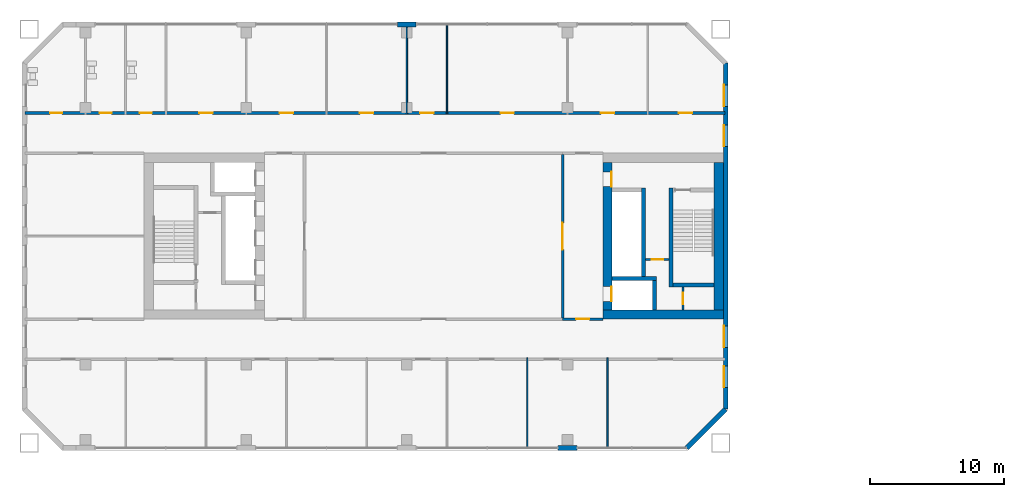
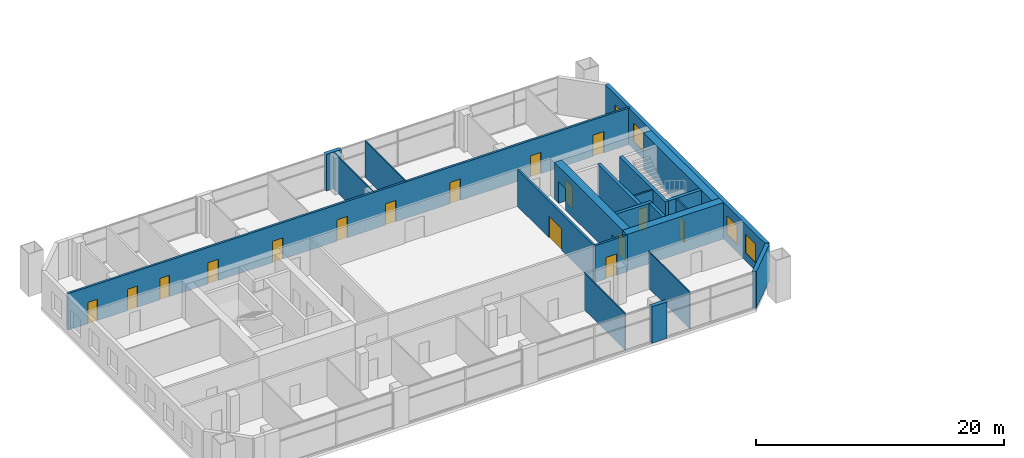
# One storey, part 12 of 19: 21 walls, 16 doors, 4 windows, 20 openings.
"""IFC4 building model written with IfcOpenShell, lengths in metres."""

from ifc_helpers import new_model, si_unit, direction, frame, frame_2d, origin, place, context, subcontext, project, spatial, rectangle, extrude, material, layer, layer_set, type_object, element, fill, save


model = new_model("IFC4")

# Units and contexts
model_context = context("Model", 3, precision=1e-05, world=origin(), true_north=direction((0.0, 1.0)))
body_context = subcontext(model_context, "Body", "Model", "MODEL_VIEW")
ifc_project = project(units=[si_unit("LENGTHUNIT", "METRE"), si_unit("AREAUNIT", "SQUARE_METRE"), si_unit("VOLUMEUNIT", "CUBIC_METRE"), si_unit("PLANEANGLEUNIT", "RADIAN"), si_unit("MASSUNIT", "GRAM", prefix="KILO")], contexts=[model_context])

# Site, building, storey
site_placement = place(None, origin())
site = spatial("IfcSite", under=ifc_project, at=site_placement, CompositionType="ELEMENT")
building_placement = place(site_placement, origin())
building = spatial("IfcBuilding", under=site, at=building_placement, Name="Tuart Gate Housing", CompositionType="ELEMENT")
storey_placement = place(building_placement, frame((0.0, 0.0, 67.39990234375)))
storey = spatial("IfcBuildingStorey", under=building, at=storey_placement, Name="L18", CompositionType="ELEMENT", Elevation=67.39990234375)

# Walls
ifc_material_1 = material(Name="Brick", Category="masonry")
ifc_layer_1 = layer(ifc_material_1, 0.360107421875)
ifc_layer_set_1 = layer_set([ifc_layer_1], Name="Brick pier and spandrel wall 360")
wall_type_1 = type_object("IfcWallType", Name="Brick pier and spandrel wall 360", PredefinedType="STANDARD", material=ifc_layer_set_1)
wall_1_placement = place(storey_placement, frame((63.300048828125, 54.179931640625, 0.0), z_axis=(0.0, 0.0, 1.0), x_axis=(1.0, 0.0, 0.0)))
element("IfcWall", 1, at=wall_1_placement, inside=storey, type_object=wall_type_1, Name="External wall A-S L18", PredefinedType="STANDARD", context=body_context, shape_type="SweptSolid", body=[
    extrude(rectangle(XDim=1.39990234375, YDim=0.360107421875, at=frame_2d((0.699951171875, 0.0))), origin(), (0.0, 0.0, 1.0), 3.60009765625),
])
wall_2_placement = place(storey_placement, frame((72.92529296875, 54.179931640625, 0.0), z_axis=(0.0, 0.0, 1.0), x_axis=(0.707106781187, 0.707106781187, 0.0)))
element("IfcWall", 2, at=wall_2_placement, inside=storey, type_object=wall_type_1, Name="External wall A-SE L18", PredefinedType="STANDARD", context=body_context, shape_type="SweptSolid", body=[
    extrude(rectangle(XDim=4.09375, YDim=0.360107421875, at=frame_2d((2.046875, 0.0))), origin(), (0.0, 0.0, 1.0), 3.60009765625),
])

# Wall, openings, windows
wall_3_placement = place(storey_placement, frame((75.820068359375, 57.07470703125, 0.0), z_axis=(0.0, 0.0, 1.0), x_axis=(0.0, 1.0, 0.0)))
wall_3 = element("IfcWall", 3, at=wall_3_placement, inside=storey, type_object=wall_type_1, Name="External wall A-E L18", PredefinedType="STANDARD", context=body_context, shape_type="SweptSolid", body=[
    extrude(rectangle(XDim=25.850830078125, YDim=0.360107421875, at=frame_2d((12.92529296875, 0.0))), origin(), (0.0, 0.0, 1.0), 3.60009765625),
])
opening_1_placement = place(wall_3_placement, frame((1.62548828125, 0.0, 0.800048828125)))
opening_1 = element("IfcOpeningElement", 4, at=opening_1_placement, cuts=wall_3, Name="Opening W1", PredefinedType="OPENING", context=body_context, shape_type="SweptSolid", body=[
    extrude(rectangle(XDim=1.60009765625, YDim=1.800048828125, at=frame_2d((0.800048828125, 0.89990234375))), frame((0.0, 0.18994140625, 0.0), z_axis=(0.0, -1.0, 0.0), x_axis=(1.0, 0.0, 0.0)), (0.0, 0.0, 1.0), 0.380126953125),
])
opening_2_placement = place(wall_3_placement, frame((4.62548828125, 0.0, 0.800048828125)))
opening_2 = element("IfcOpeningElement", 5, at=opening_2_placement, cuts=wall_3, Name="Opening W1", PredefinedType="OPENING", context=body_context, shape_type="SweptSolid", body=[
    extrude(rectangle(XDim=1.60009765625, YDim=1.800048828125, at=frame_2d((0.800048828125, 0.89990234375))), frame((0.0, 0.18994140625, 0.0), z_axis=(0.0, -1.0, 0.0), x_axis=(1.0, 0.0, 0.0)), (0.0, 0.0, 1.0), 0.380126953125),
])
opening_3_placement = place(wall_3_placement, frame((19.62548828125, 0.0, 0.800048828125)))
opening_3 = element("IfcOpeningElement", 6, at=opening_3_placement, cuts=wall_3, Name="Opening W1", PredefinedType="OPENING", context=body_context, shape_type="SweptSolid", body=[
    extrude(rectangle(XDim=1.60009765625, YDim=1.800048828125, at=frame_2d((0.800048828125, 0.89990234375))), frame((0.0, 0.18994140625, 0.0), z_axis=(0.0, -1.0, 0.0), x_axis=(1.0, 0.0, 0.0)), (0.0, 0.0, 1.0), 0.380126953125),
])
opening_4_placement = place(wall_3_placement, frame((22.62548828125, 0.0, 0.800048828125)))
opening_4 = element("IfcOpeningElement", 7, at=opening_4_placement, cuts=wall_3, Name="Opening W1", PredefinedType="OPENING", context=body_context, shape_type="SweptSolid", body=[
    extrude(rectangle(XDim=1.60009765625, YDim=1.800048828125, at=frame_2d((0.800048828125, 0.89990234375))), frame((0.0, 0.18994140625, 0.0), z_axis=(0.0, -1.0, 0.0), x_axis=(1.0, 0.0, 0.0)), (0.0, 0.0, 1.0), 0.380126953125),
])
ifc_material_2 = material(Name="Aluminium frame with clear glass", Category="aluminium")
window_type = type_object("IfcWindowType", Name="Punched window 1600 x 1800", PartitioningType="SINGLE_PANEL", PredefinedType="WINDOW", material=ifc_material_2)
window_1_placement = place(opening_1_placement, origin())
window_1 = element("IfcWindow", 8, at=window_1_placement, inside=storey, type_object=window_type, Name="Window W1", OverallHeight=1.800048828125, OverallWidth=1.60009765625, PartitioningType="SINGLE_PANEL", PredefinedType="WINDOW", context=body_context, shape_type="SweptSolid", body=[
    extrude(rectangle(XDim=1.60009765625, YDim=1.800048828125, at=frame_2d((0.800048828125, 0.89990234375))), frame((0.0, 0.150146484375, 0.0), z_axis=(0.0, -1.0, 0.0), x_axis=(1.0, 0.0, 0.0)), (0.0, 0.0, 1.0), 0.06005859375),
])
fill(opening_1, window_1)
window_2_placement = place(opening_2_placement, origin())
window_2 = element("IfcWindow", 9, at=window_2_placement, inside=storey, type_object=window_type, Name="Window W1", OverallHeight=1.800048828125, OverallWidth=1.60009765625, PartitioningType="SINGLE_PANEL", PredefinedType="WINDOW", context=body_context, shape_type="SweptSolid", body=[
    extrude(rectangle(XDim=1.60009765625, YDim=1.800048828125, at=frame_2d((0.800048828125, 0.89990234375))), frame((0.0, 0.150146484375, 0.0), z_axis=(0.0, -1.0, 0.0), x_axis=(1.0, 0.0, 0.0)), (0.0, 0.0, 1.0), 0.06005859375),
])
fill(opening_2, window_2)
window_3_placement = place(opening_3_placement, origin())
window_3 = element("IfcWindow", 10, at=window_3_placement, inside=storey, type_object=window_type, Name="Window W1", OverallHeight=1.800048828125, OverallWidth=1.60009765625, PartitioningType="SINGLE_PANEL", PredefinedType="WINDOW", context=body_context, shape_type="SweptSolid", body=[
    extrude(rectangle(XDim=1.60009765625, YDim=1.800048828125, at=frame_2d((0.800048828125, 0.89990234375))), frame((0.0, 0.150146484375, 0.0), z_axis=(0.0, -1.0, 0.0), x_axis=(1.0, 0.0, 0.0)), (0.0, 0.0, 1.0), 0.06005859375),
])
fill(opening_3, window_3)
window_4_placement = place(opening_4_placement, origin())
window_4 = element("IfcWindow", 11, at=window_4_placement, inside=storey, type_object=window_type, Name="Window W1", OverallHeight=1.800048828125, OverallWidth=1.60009765625, PartitioningType="SINGLE_PANEL", PredefinedType="WINDOW", context=body_context, shape_type="SweptSolid", body=[
    extrude(rectangle(XDim=1.60009765625, YDim=1.800048828125, at=frame_2d((0.800048828125, 0.89990234375))), frame((0.0, 0.150146484375, 0.0), z_axis=(0.0, -1.0, 0.0), x_axis=(1.0, 0.0, 0.0)), (0.0, 0.0, 1.0), 0.06005859375),
])
fill(opening_4, window_4)

# Wall
wall_4_placement = place(storey_placement, frame((52.699951171875, 85.820068359375, 0.0), z_axis=(0.0, 0.0, 1.0), x_axis=(-1.0, 0.0, 0.0)))
element("IfcWall", 12, at=wall_4_placement, inside=storey, type_object=wall_type_1, Name="External wall A-N L18", PredefinedType="STANDARD", context=body_context, shape_type="SweptSolid", body=[
    extrude(rectangle(XDim=1.39990234375, YDim=0.360107421875, at=frame_2d((0.699951171875, 0.0))), origin(), (0.0, 0.0, 1.0), 3.60009765625),
])

# Wall, opening, door
ifc_material_3 = material(Name="Plasterboard partition")
ifc_layer_2 = layer(ifc_material_3, 0.14990234375)
ifc_layer_set_2 = layer_set([ifc_layer_2], Name="Core partition 150")
wall_type_2 = type_object("IfcWallType", Name="Core partition 150", PredefinedType="PARTITIONING", material=ifc_layer_set_2)
wall_5_placement = place(storey_placement, frame((69.840087890625, 68.25, 0.0), z_axis=(0.0, 0.0, 1.0), x_axis=(1.0, 0.0, 0.0)))
wall_5 = element("IfcWall", 13, at=wall_5_placement, inside=storey, type_object=wall_type_2, Name="Core partition AG.3", PredefinedType="PARTITIONING", context=body_context, shape_type="SweptSolid", body=[
    extrude(rectangle(XDim=1.75, YDim=0.14990234375, at=frame_2d((0.875, 0.0))), origin(), (0.0, 0.0, 1.0), 3.60009765625),
])
opening_5_placement = place(wall_5_placement, frame((0.449951171875, 0.0, 0.0)))
opening_5 = element("IfcOpeningElement", 14, at=opening_5_placement, cuts=wall_5, Name="Opening D092", PredefinedType="OPENING", context=body_context, shape_type="SweptSolid", body=[
    extrude(rectangle(XDim=0.85009765625, YDim=2.10009765625, at=frame_2d((0.425048828125, 1.050048828125))), frame((0.0, 0.0849609375, 0.0), z_axis=(0.0, -1.0, 0.0), x_axis=(1.0, 0.0, 0.0)), (0.0, 0.0, 1.0), 0.169921875),
])
ifc_material_4 = material(Name="Steel fire door", Category="steel")
door_type_1 = type_object("IfcDoorType", Name="Riser door 850 x 2100 RH", OperationType="SINGLE_SWING_RIGHT", PredefinedType="DOOR", material=ifc_material_4)
door_1_placement = place(opening_5_placement, frame((0.85009765625, 0.0, 0.0), z_axis=(0.0, 0.0, 1.0), x_axis=(-1.0, 0.0, 0.0)))
door_1 = element("IfcDoor", 15, at=door_1_placement, inside=storey, type_object=door_type_1, Name="Service room door AG.E1", OperationType="SINGLE_SWING_RIGHT", OverallHeight=2.10009765625, OverallWidth=0.85009765625, PredefinedType="DOOR", context=body_context, shape_type="SweptSolid", body=[
    extrude(rectangle(XDim=0.85009765625, YDim=2.10009765625, at=frame_2d((0.425048828125, 1.050048828125))), frame((0.0, 0.025146484375, 0.0), z_axis=(0.0, -1.0, 0.0), x_axis=(1.0, 0.0, 0.0)), (0.0, 0.0, 1.0), 0.050048828125),
])
fill(opening_5, door_1)

wall_6_placement = place(storey_placement, frame((72.639892578125, 64.5, 0.0), z_axis=(0.0, 0.0, 1.0), x_axis=(0.0, 1.0, 0.0)))
wall_6 = element("IfcWall", 16, at=wall_6_placement, inside=storey, type_object=wall_type_2, Name="Core partition AG.9", PredefinedType="PARTITIONING", context=body_context, shape_type="SweptSolid", body=[
    extrude(rectangle(XDim=1.699951171875, YDim=0.14990234375, at=frame_2d((0.85009765625, 0.0))), origin(), (0.0, 0.0, 1.0), 3.60009765625),
])
opening_6_placement = place(wall_6_placement, frame((0.425048828125, 0.0, 0.0)))
opening_6 = element("IfcOpeningElement", 17, at=opening_6_placement, cuts=wall_6, Name="Opening D094", PredefinedType="OPENING", context=body_context, shape_type="SweptSolid", body=[
    extrude(rectangle(XDim=0.85009765625, YDim=2.10009765625, at=frame_2d((0.425048828125, 1.050048828125))), frame((0.0, 0.0849609375, 0.0), z_axis=(0.0, -1.0, 0.0), x_axis=(1.0, 0.0, 0.0)), (0.0, 0.0, 1.0), 0.169921875),
])
ifc_material_5 = material(Name="Steel fire door", Category="steel")
door_type_2 = type_object("IfcDoorType", Name="Service door 850 x 2100", OperationType="SINGLE_SWING_LEFT", PredefinedType="DOOR", material=ifc_material_5)
door_2_placement = place(opening_6_placement, origin())
door_2 = element("IfcDoor", 18, at=door_2_placement, inside=storey, type_object=door_type_2, Name="Service room door AG.E2", OperationType="SINGLE_SWING_LEFT", OverallHeight=2.10009765625, OverallWidth=0.85009765625, PredefinedType="DOOR", context=body_context, shape_type="SweptSolid", body=[
    extrude(rectangle(XDim=0.85009765625, YDim=2.10009765625, at=frame_2d((0.425048828125, 1.050048828125))), frame((0.0, 0.02490234375, 0.0), z_axis=(0.0, -1.0, 0.0), x_axis=(1.0, 0.0, 0.0)), (0.0, 0.0, 1.0), 0.050048828125),
])
fill(opening_6, door_2)

# Walls
ifc_material_6 = material(Name="Concrete C50", Category="concrete")
ifc_layer_3 = layer(ifc_material_6, 0.300048828125)
ifc_layer_set_3 = layer_set([ifc_layer_3], Name="Core wall 300 C50")
wall_type_3 = type_object("IfcWallType", Name="Core wall 300 C50", PredefinedType="SHEAR", material=ifc_layer_set_3)
wall_7_placement = place(storey_placement, frame((71.889892578125, 66.35009765625, 0.0), z_axis=(0.0, 0.0, 1.0), x_axis=(1.0, 0.0, 0.0)))
element("IfcWall", 19, at=wall_7_placement, inside=storey, type_object=wall_type_3, Name="Core wall AG.1", PredefinedType="SHEAR", context=body_context, shape_type="SweptSolid", body=[
    extrude(rectangle(XDim=3.050048828125, YDim=0.300048828125, at=frame_2d((1.52490234375, 0.0))), origin(), (0.0, 0.0, 1.0), 3.60009765625),
])
wall_8_placement = place(storey_placement, frame((67.340087890625, 66.85009765625, 0.0), z_axis=(0.0, 0.0, 1.0), x_axis=(1.0, 0.0, 0.0)))
element("IfcWall", 20, at=wall_8_placement, inside=storey, type_object=wall_type_3, Name="Core wall AG.2", PredefinedType="SHEAR", context=body_context, shape_type="SweptSolid", body=[
    extrude(rectangle(XDim=3.31982421875, YDim=0.300048828125, at=frame_2d((1.659912109375, 0.0))), origin(), (0.0, 0.0, 1.0), 3.60009765625),
])
wall_9_placement = place(storey_placement, frame((69.68994140625, 67.0, 0.0), z_axis=(0.0, 0.0, 1.0), x_axis=(0.0, 1.0, 0.0)))
element("IfcWall", 21, at=wall_9_placement, inside=storey, type_object=wall_type_3, Name="Core wall AG.6", PredefinedType="SHEAR", context=body_context, shape_type="SweptSolid", body=[
    extrude(rectangle(XDim=6.60009765625, YDim=0.300048828125, at=frame_2d((3.300048828125, 0.0))), origin(), (0.0, 0.0, 1.0), 3.60009765625),
])
wall_10_placement = place(storey_placement, frame((70.510009765625, 64.5, 0.0), z_axis=(0.0, 0.0, 1.0), x_axis=(0.0, 1.0, 0.0)))
element("IfcWall", 22, at=wall_10_placement, inside=storey, type_object=wall_type_3, Name="Core wall AG.7", PredefinedType="SHEAR", context=body_context, shape_type="SweptSolid", body=[
    extrude(rectangle(XDim=2.199951171875, YDim=0.300048828125, at=frame_2d((1.10009765625, 0.0))), origin(), (0.0, 0.0, 1.0), 3.60009765625),
])
wall_11_placement = place(storey_placement, frame((71.739990234375, 66.199951171875, 0.0), z_axis=(0.0, 0.0, 1.0), x_axis=(0.0, 1.0, 0.0)))
element("IfcWall", 23, at=wall_11_placement, inside=storey, type_object=wall_type_3, Name="Core wall AG.8", PredefinedType="SHEAR", context=body_context, shape_type="SweptSolid", body=[
    extrude(rectangle(XDim=7.400146484375, YDim=0.300048828125, at=frame_2d((3.7001953125, 0.0))), origin(), (0.0, 0.0, 1.0), 3.60009765625),
])

# Wall, openings, doors
ifc_material_7 = material(Name="Concrete C50", Category="concrete")
ifc_layer_4 = layer(ifc_material_7, 0.699951171875)
ifc_layer_set_4 = layer_set([ifc_layer_4], Name="Core wall 700 C50")
wall_type_4 = type_object("IfcWallType", Name="Core wall 700 C50", PredefinedType="SHEAR", material=ifc_layer_set_4)
wall_12_placement = place(storey_placement, frame((66.989990234375, 64.5, 0.0), z_axis=(0.0, 0.0, 1.0), x_axis=(0.0, 1.0, 0.0)))
wall_12 = element("IfcWall", 24, at=wall_12_placement, inside=storey, type_object=wall_type_4, Name="Core wall AG front", PredefinedType="SHEAR", context=body_context, shape_type="SweptSolid", body=[
    extrude(rectangle(XDim=11.0, YDim=0.699951171875, at=frame_2d((5.5, 0.0))), origin(), (0.0, 0.0, 1.0), 3.60009765625),
])
opening_7_placement = place(wall_12_placement, frame((0.625, 0.0, 0.0)))
opening_7 = element("IfcOpeningElement", 25, at=opening_7_placement, cuts=wall_12, Name="Opening LD-FA1", PredefinedType="OPENING", context=body_context, shape_type="SweptSolid", body=[
    extrude(rectangle(XDim=1.10009765625, YDim=2.10009765625, at=frame_2d((0.550048828125, 1.050048828125))), frame((0.0, 0.35986328125, 0.0), z_axis=(0.0, -1.0, 0.0), x_axis=(1.0, 0.0, 0.0)), (0.0, 0.0, 1.0), 0.719970703125),
])
opening_8_placement = place(wall_12_placement, frame((9.199951171875, 0.0, 0.0)))
opening_8 = element("IfcOpeningElement", 26, at=opening_8_placement, cuts=wall_12, Name="Opening D091", PredefinedType="OPENING", context=body_context, shape_type="SweptSolid", body=[
    extrude(rectangle(XDim=1.10009765625, YDim=2.10009765625, at=frame_2d((0.550048828125, 1.050048828125))), frame((0.0, 0.35986328125, 0.0), z_axis=(0.0, -1.0, 0.0), x_axis=(1.0, 0.0, 0.0)), (0.0, 0.0, 1.0), 0.719970703125),
])
ifc_material_8 = material(Name="Stainless steel", Category="steel")
door_type_3 = type_object("IfcDoorType", Name="Landing door 1100 x 2100", OperationType="DOUBLE_DOOR_SLIDING", PredefinedType="DOOR", material=ifc_material_8)
door_3_placement = place(opening_7_placement, origin())
door_3 = element("IfcDoor", 27, at=door_3_placement, inside=storey, type_object=door_type_3, Name="Lift landing door FA1", OperationType="DOUBLE_DOOR_SLIDING", OverallHeight=2.10009765625, OverallWidth=1.10009765625, PredefinedType="DOOR", context=body_context, shape_type="SweptSolid", body=[
    extrude(rectangle(XDim=1.10009765625, YDim=2.10009765625, at=frame_2d((0.550048828125, 1.050048828125))), frame((0.0, -0.28515625, 0.0), z_axis=(0.0, -1.0, 0.0), x_axis=(1.0, 0.0, 0.0)), (0.0, 0.0, 1.0), 0.050048828125),
])
fill(opening_7, door_3)
ifc_material_9 = material(Name="Steel fire door", Category="steel")
door_type_4 = type_object("IfcDoorType", Name="Lobby door 1100 x 2100 RH", OperationType="SINGLE_SWING_RIGHT", PredefinedType="DOOR", material=ifc_material_9)
door_4_placement = place(opening_8_placement, frame((1.10009765625, 0.0, 0.0), z_axis=(0.0, 0.0, 1.0), x_axis=(-1.0, 0.0, 0.0)))
door_4 = element("IfcDoor", 28, at=door_4_placement, inside=storey, type_object=door_type_4, Name="Lobby entry door AG.EN", OperationType="SINGLE_SWING_RIGHT", OverallHeight=2.10009765625, OverallWidth=1.10009765625, PredefinedType="DOOR", context=body_context, shape_type="SweptSolid", body=[
    extrude(rectangle(XDim=1.10009765625, YDim=2.10009765625, at=frame_2d((0.550048828125, 1.050048828125))), frame((0.0, 0.335205078125, 0.0), z_axis=(0.0, -1.0, 0.0), x_axis=(1.0, 0.0, 0.0)), (0.0, 0.0, 1.0), 0.050048828125),
])
fill(opening_8, door_4)

# Walls
wall_13_placement = place(storey_placement, frame((75.2900390625, 64.5, 0.0), z_axis=(0.0, 0.0, 1.0), x_axis=(0.0, 1.0, 0.0)))
element("IfcWall", 29, at=wall_13_placement, inside=storey, type_object=wall_type_4, Name="Core wall AG back", PredefinedType="SHEAR", context=body_context, shape_type="SweptSolid", body=[
    extrude(rectangle(XDim=11.0, YDim=0.699951171875, at=frame_2d((5.5, 0.0))), origin(), (0.0, 0.0, 1.0), 3.60009765625),
])
wall_14_placement = place(storey_placement, frame((66.639892578125, 64.14990234375, 0.0), z_axis=(0.0, 0.0, 1.0), x_axis=(1.0, 0.0, 0.0)))
element("IfcWall", 30, at=wall_14_placement, inside=storey, type_object=wall_type_4, Name="Core wall AG south", PredefinedType="SHEAR", context=body_context, shape_type="SweptSolid", body=[
    extrude(rectangle(XDim=9.0, YDim=0.699951171875, at=frame_2d((4.5, 0.0))), origin(), (0.0, 0.0, 1.0), 3.60009765625),
])

# Wall, openings, doors
ifc_material_10 = material(Name="Concrete masonry 15 MPa", Category="masonry")
ifc_layer_5 = layer(ifc_material_10, 0.199951171875)
ifc_layer_set_5 = layer_set([ifc_layer_5], Name="Corridor wall masonry 200")
wall_type_5 = type_object("IfcWallType", Name="Corridor wall masonry 200", PredefinedType="PARTITIONING", material=ifc_layer_set_5)
wall_15_placement = place(storey_placement, frame((23.489990234375, 79.199951171875, 0.0), z_axis=(0.0, 0.0, 1.0), x_axis=(1.0, 0.0, 0.0)))
wall_15 = element("IfcWall", 31, at=wall_15_placement, inside=storey, type_object=wall_type_5, Name="Corridor wall masonry 200", PredefinedType="PARTITIONING", context=body_context, shape_type="SweptSolid", body=[
    extrude(rectangle(XDim=52.27001953125, YDim=0.199951171875, at=frame_2d((26.135009765625, 0.0))), origin(), (0.0, 0.0, 1.0), 3.60009765625),
])
opening_9_placement = place(wall_15_placement, frame((1.864990234375, 0.0, 0.0)))
opening_9 = element("IfcOpeningElement", 32, at=opening_9_placement, cuts=wall_15, Name="Opening D078", PredefinedType="OPENING", context=body_context, shape_type="SweptSolid", body=[
    extrude(rectangle(XDim=0.89990234375, YDim=2.10009765625, at=frame_2d((0.449951171875, 1.050048828125))), frame((0.0, 0.10986328125, 0.0), z_axis=(0.0, -1.0, 0.0), x_axis=(1.0, 0.0, 0.0)), (0.0, 0.0, 1.0), 0.219970703125),
])
opening_10_placement = place(wall_15_placement, frame((5.56005859375, 0.0, 0.0)))
opening_10 = element("IfcOpeningElement", 33, at=opening_10_placement, cuts=wall_15, Name="Opening D079", PredefinedType="OPENING", context=body_context, shape_type="SweptSolid", body=[
    extrude(rectangle(XDim=0.89990234375, YDim=2.10009765625, at=frame_2d((0.449951171875, 1.050048828125))), frame((0.0, 0.10986328125, 0.0), z_axis=(0.0, -1.0, 0.0), x_axis=(1.0, 0.0, 0.0)), (0.0, 0.0, 1.0), 0.219970703125),
])
opening_11_placement = place(wall_15_placement, frame((8.56005859375, 0.0, 0.0)))
opening_11 = element("IfcOpeningElement", 34, at=opening_11_placement, cuts=wall_15, Name="Opening D080", PredefinedType="OPENING", context=body_context, shape_type="SweptSolid", body=[
    extrude(rectangle(XDim=0.89990234375, YDim=2.10009765625, at=frame_2d((0.449951171875, 1.050048828125))), frame((0.0, 0.10986328125, 0.0), z_axis=(0.0, -1.0, 0.0), x_axis=(1.0, 0.0, 0.0)), (0.0, 0.0, 1.0), 0.219970703125),
])
opening_12_placement = place(wall_15_placement, frame((13.010009765625, 0.0, 0.0)))
opening_12 = element("IfcOpeningElement", 35, at=opening_12_placement, cuts=wall_15, Name="Opening D071", PredefinedType="OPENING", context=body_context, shape_type="SweptSolid", body=[
    extrude(rectangle(XDim=1.0, YDim=2.10009765625, at=frame_2d((0.5, 1.050048828125))), frame((0.0, 0.10986328125, 0.0), z_axis=(0.0, -1.0, 0.0), x_axis=(1.0, 0.0, 0.0)), (0.0, 0.0, 1.0), 0.219970703125),
])
opening_13_placement = place(wall_15_placement, frame((19.010009765625, 0.0, 0.0)))
opening_13 = element("IfcOpeningElement", 36, at=opening_13_placement, cuts=wall_15, Name="Opening D072", PredefinedType="OPENING", context=body_context, shape_type="SweptSolid", body=[
    extrude(rectangle(XDim=1.0, YDim=2.10009765625, at=frame_2d((0.5, 1.050048828125))), frame((0.0, 0.10986328125, 0.0), z_axis=(0.0, -1.0, 0.0), x_axis=(1.0, 0.0, 0.0)), (0.0, 0.0, 1.0), 0.219970703125),
])
opening_14_placement = place(wall_15_placement, frame((25.010009765625, 0.0, 0.0)))
opening_14 = element("IfcOpeningElement", 37, at=opening_14_placement, cuts=wall_15, Name="Opening D073", PredefinedType="OPENING", context=body_context, shape_type="SweptSolid", body=[
    extrude(rectangle(XDim=1.0, YDim=2.10009765625, at=frame_2d((0.5, 1.050048828125))), frame((0.0, 0.10986328125, 0.0), z_axis=(0.0, -1.0, 0.0), x_axis=(1.0, 0.0, 0.0)), (0.0, 0.0, 1.0), 0.219970703125),
])
opening_15_placement = place(wall_15_placement, frame((29.510009765625, 0.0, 0.0)))
opening_15 = element("IfcOpeningElement", 38, at=opening_15_placement, cuts=wall_15, Name="Opening D074", PredefinedType="OPENING", context=body_context, shape_type="SweptSolid", body=[
    extrude(rectangle(XDim=1.0, YDim=2.10009765625, at=frame_2d((0.5, 1.050048828125))), frame((0.0, 0.10986328125, 0.0), z_axis=(0.0, -1.0, 0.0), x_axis=(1.0, 0.0, 0.0)), (0.0, 0.0, 1.0), 0.219970703125),
])
opening_16_placement = place(wall_15_placement, frame((35.510009765625, 0.0, 0.0)))
opening_16 = element("IfcOpeningElement", 39, at=opening_16_placement, cuts=wall_15, Name="Opening D075", PredefinedType="OPENING", context=body_context, shape_type="SweptSolid", body=[
    extrude(rectangle(XDim=1.0, YDim=2.10009765625, at=frame_2d((0.5, 1.050048828125))), frame((0.0, 0.10986328125, 0.0), z_axis=(0.0, -1.0, 0.0), x_axis=(1.0, 0.0, 0.0)), (0.0, 0.0, 1.0), 0.219970703125),
])
opening_17_placement = place(wall_15_placement, frame((43.010009765625, 0.0, 0.0)))
opening_17 = element("IfcOpeningElement", 40, at=opening_17_placement, cuts=wall_15, Name="Opening D076", PredefinedType="OPENING", context=body_context, shape_type="SweptSolid", body=[
    extrude(rectangle(XDim=1.0, YDim=2.10009765625, at=frame_2d((0.5, 1.050048828125))), frame((0.0, 0.10986328125, 0.0), z_axis=(0.0, -1.0, 0.0), x_axis=(1.0, 0.0, 0.0)), (0.0, 0.0, 1.0), 0.219970703125),
])
opening_18_placement = place(wall_15_placement, frame((48.830078125, 0.0, 0.0)))
opening_18 = element("IfcOpeningElement", 41, at=opening_18_placement, cuts=wall_15, Name="Opening D077", PredefinedType="OPENING", context=body_context, shape_type="SweptSolid", body=[
    extrude(rectangle(XDim=1.0, YDim=2.10009765625, at=frame_2d((0.5, 1.050048828125))), frame((0.0, 0.10986328125, 0.0), z_axis=(0.0, -1.0, 0.0), x_axis=(1.0, 0.0, 0.0)), (0.0, 0.0, 1.0), 0.219970703125),
])
ifc_material_11 = material(Name="Timber door leaf in steel frame", Category="steel")
door_type_5 = type_object("IfcDoorType", Name="Fire door 1000", OperationType="SINGLE_SWING_LEFT", PredefinedType="DOOR", material=ifc_material_11)
door_5_placement = place(opening_12_placement, origin())
door_5 = element("IfcDoor", 42, at=door_5_placement, inside=storey, type_object=door_type_5, Name="Fire door 1000", OperationType="SINGLE_SWING_LEFT", OverallHeight=2.10009765625, OverallWidth=1.0, PredefinedType="DOOR", context=body_context, shape_type="SweptSolid", body=[
    extrude(rectangle(XDim=1.0, YDim=2.10009765625, at=frame_2d((0.5, 1.050048828125))), frame((0.0, 0.02490234375, 0.0), z_axis=(0.0, -1.0, 0.0), x_axis=(1.0, 0.0, 0.0)), (0.0, 0.0, 1.0), 0.050048828125),
])
fill(opening_12, door_5)
door_6_placement = place(opening_13_placement, origin())
door_6 = element("IfcDoor", 43, at=door_6_placement, inside=storey, type_object=door_type_5, Name="Fire door 1000", OperationType="SINGLE_SWING_LEFT", OverallHeight=2.10009765625, OverallWidth=1.0, PredefinedType="DOOR", context=body_context, shape_type="SweptSolid", body=[
    extrude(rectangle(XDim=1.0, YDim=2.10009765625, at=frame_2d((0.5, 1.050048828125))), frame((0.0, 0.02490234375, 0.0), z_axis=(0.0, -1.0, 0.0), x_axis=(1.0, 0.0, 0.0)), (0.0, 0.0, 1.0), 0.050048828125),
])
fill(opening_13, door_6)
door_7_placement = place(opening_14_placement, origin())
door_7 = element("IfcDoor", 44, at=door_7_placement, inside=storey, type_object=door_type_5, Name="Fire door 1000", OperationType="SINGLE_SWING_LEFT", OverallHeight=2.10009765625, OverallWidth=1.0, PredefinedType="DOOR", context=body_context, shape_type="SweptSolid", body=[
    extrude(rectangle(XDim=1.0, YDim=2.10009765625, at=frame_2d((0.5, 1.050048828125))), frame((0.0, 0.02490234375, 0.0), z_axis=(0.0, -1.0, 0.0), x_axis=(1.0, 0.0, 0.0)), (0.0, 0.0, 1.0), 0.050048828125),
])
fill(opening_14, door_7)
door_8_placement = place(opening_15_placement, origin())
door_8 = element("IfcDoor", 45, at=door_8_placement, inside=storey, type_object=door_type_5, Name="Fire door 1000", OperationType="SINGLE_SWING_LEFT", OverallHeight=2.10009765625, OverallWidth=1.0, PredefinedType="DOOR", context=body_context, shape_type="SweptSolid", body=[
    extrude(rectangle(XDim=1.0, YDim=2.10009765625, at=frame_2d((0.5, 1.050048828125))), frame((0.0, 0.02490234375, 0.0), z_axis=(0.0, -1.0, 0.0), x_axis=(1.0, 0.0, 0.0)), (0.0, 0.0, 1.0), 0.050048828125),
])
fill(opening_15, door_8)
door_9_placement = place(opening_16_placement, origin())
door_9 = element("IfcDoor", 46, at=door_9_placement, inside=storey, type_object=door_type_5, Name="Fire door 1000", OperationType="SINGLE_SWING_LEFT", OverallHeight=2.10009765625, OverallWidth=1.0, PredefinedType="DOOR", context=body_context, shape_type="SweptSolid", body=[
    extrude(rectangle(XDim=1.0, YDim=2.10009765625, at=frame_2d((0.5, 1.050048828125))), frame((0.0, 0.02490234375, 0.0), z_axis=(0.0, -1.0, 0.0), x_axis=(1.0, 0.0, 0.0)), (0.0, 0.0, 1.0), 0.050048828125),
])
fill(opening_16, door_9)
door_10_placement = place(opening_17_placement, origin())
door_10 = element("IfcDoor", 47, at=door_10_placement, inside=storey, type_object=door_type_5, Name="Fire door 1000", OperationType="SINGLE_SWING_LEFT", OverallHeight=2.10009765625, OverallWidth=1.0, PredefinedType="DOOR", context=body_context, shape_type="SweptSolid", body=[
    extrude(rectangle(XDim=1.0, YDim=2.10009765625, at=frame_2d((0.5, 1.050048828125))), frame((0.0, 0.02490234375, 0.0), z_axis=(0.0, -1.0, 0.0), x_axis=(1.0, 0.0, 0.0)), (0.0, 0.0, 1.0), 0.050048828125),
])
fill(opening_17, door_10)
door_11_placement = place(opening_18_placement, origin())
door_11 = element("IfcDoor", 48, at=door_11_placement, inside=storey, type_object=door_type_5, Name="Fire door 1000", OperationType="SINGLE_SWING_LEFT", OverallHeight=2.10009765625, OverallWidth=1.0, PredefinedType="DOOR", context=body_context, shape_type="SweptSolid", body=[
    extrude(rectangle(XDim=1.0, YDim=2.10009765625, at=frame_2d((0.5, 1.050048828125))), frame((0.0, 0.02490234375, 0.0), z_axis=(0.0, -1.0, 0.0), x_axis=(1.0, 0.0, 0.0)), (0.0, 0.0, 1.0), 0.050048828125),
])
fill(opening_18, door_11)
ifc_material_12 = material(Name="Timber door leaf in steel frame", Category="steel")
door_type_6 = type_object("IfcDoorType", Name="Fire door 900", OperationType="SINGLE_SWING_LEFT", PredefinedType="DOOR", material=ifc_material_12)
door_12_placement = place(opening_9_placement, origin())
door_12 = element("IfcDoor", 49, at=door_12_placement, inside=storey, type_object=door_type_6, Name="Fire door 900", OperationType="SINGLE_SWING_LEFT", OverallHeight=2.10009765625, OverallWidth=0.89990234375, PredefinedType="DOOR", context=body_context, shape_type="SweptSolid", body=[
    extrude(rectangle(XDim=0.89990234375, YDim=2.10009765625, at=frame_2d((0.449951171875, 1.050048828125))), frame((0.0, 0.02490234375, 0.0), z_axis=(0.0, -1.0, 0.0), x_axis=(1.0, 0.0, 0.0)), (0.0, 0.0, 1.0), 0.050048828125),
])
fill(opening_9, door_12)
door_13_placement = place(opening_10_placement, origin())
door_13 = element("IfcDoor", 50, at=door_13_placement, inside=storey, type_object=door_type_6, Name="Fire door 900", OperationType="SINGLE_SWING_LEFT", OverallHeight=2.10009765625, OverallWidth=0.89990234375, PredefinedType="DOOR", context=body_context, shape_type="SweptSolid", body=[
    extrude(rectangle(XDim=0.89990234375, YDim=2.10009765625, at=frame_2d((0.449951171875, 1.050048828125))), frame((0.0, 0.02490234375, 0.0), z_axis=(0.0, -1.0, 0.0), x_axis=(1.0, 0.0, 0.0)), (0.0, 0.0, 1.0), 0.050048828125),
])
fill(opening_10, door_13)
door_14_placement = place(opening_11_placement, origin())
door_14 = element("IfcDoor", 51, at=door_14_placement, inside=storey, type_object=door_type_6, Name="Fire door 900", OperationType="SINGLE_SWING_LEFT", OverallHeight=2.10009765625, OverallWidth=0.89990234375, PredefinedType="DOOR", context=body_context, shape_type="SweptSolid", body=[
    extrude(rectangle(XDim=0.89990234375, YDim=2.10009765625, at=frame_2d((0.449951171875, 1.050048828125))), frame((0.0, 0.02490234375, 0.0), z_axis=(0.0, -1.0, 0.0), x_axis=(1.0, 0.0, 0.0)), (0.0, 0.0, 1.0), 0.050048828125),
])
fill(opening_11, door_14)

# Wall, opening, door
ifc_material_13 = material(Name="Concrete masonry 15 MPa", Category="masonry")
ifc_layer_6 = layer(ifc_material_13, 0.199951171875)
ifc_layer_set_6 = layer_set([ifc_layer_6], Name="Enclosure wall masonry 200")
wall_type_6 = type_object("IfcWallType", Name="Enclosure wall masonry 200", PredefinedType="PARTITIONING", material=ifc_layer_set_6)
wall_16_placement = place(storey_placement, frame((63.639892578125, 63.800048828125, 0.0), z_axis=(0.0, 0.0, 1.0), x_axis=(1.0, 0.0, 0.0)))
wall_16 = element("IfcWall", 52, at=wall_16_placement, inside=storey, type_object=wall_type_6, Name="Enclosure wall masonry 200", PredefinedType="PARTITIONING", context=body_context, shape_type="SweptSolid", body=[
    extrude(rectangle(XDim=3.0, YDim=0.199951171875, at=frame_2d((1.5, 0.0))), origin(), (0.0, 0.0, 1.0), 3.60009765625),
])
opening_19_placement = place(wall_16_placement, frame((1.0, 0.0, 0.0)))
opening_19 = element("IfcOpeningElement", 53, at=opening_19_placement, cuts=wall_16, Name="Opening D098", PredefinedType="OPENING", context=body_context, shape_type="SweptSolid", body=[
    extrude(rectangle(XDim=1.0, YDim=2.10009765625, at=frame_2d((0.5, 1.050048828125))), frame((0.0, 0.10986328125, 0.0), z_axis=(0.0, -1.0, 0.0), x_axis=(1.0, 0.0, 0.0)), (0.0, 0.0, 1.0), 0.219970703125),
])
ifc_material_14 = material(Name="Timber door leaf in steel frame", Category="steel")
door_type_7 = type_object("IfcDoorType", Name="Lobby door 1000", OperationType="SINGLE_SWING_LEFT", PredefinedType="DOOR", material=ifc_material_14)
door_15_placement = place(opening_19_placement, origin())
door_15 = element("IfcDoor", 54, at=door_15_placement, inside=storey, type_object=door_type_7, Name="Lobby door 1000", OperationType="SINGLE_SWING_LEFT", OverallHeight=2.10009765625, OverallWidth=1.0, PredefinedType="DOOR", context=body_context, shape_type="SweptSolid", body=[
    extrude(rectangle(XDim=1.0, YDim=2.10009765625, at=frame_2d((0.5, 1.050048828125))), frame((0.0, 0.02490234375, 0.0), z_axis=(0.0, -1.0, 0.0), x_axis=(1.0, 0.0, 0.0)), (0.0, 0.0, 1.0), 0.050048828125),
])
fill(opening_19, door_15)

ifc_material_15 = material(Name="Plasterboard partition")
ifc_layer_7 = layer(ifc_material_15, 0.199951171875)
ifc_layer_set_7 = layer_set([ifc_layer_7], Name="Lobby wall 200")
wall_type_7 = type_object("IfcWallType", Name="Lobby wall 200", PredefinedType="PARTITIONING", material=ifc_layer_set_7)
wall_17_placement = place(storey_placement, frame((63.639892578125, 63.89990234375, 0.0), z_axis=(0.0, 0.0, 1.0), x_axis=(0.0, 1.0, 0.0)))
wall_17 = element("IfcWall", 55, at=wall_17_placement, inside=storey, type_object=wall_type_7, Name="Lift lobby wall AG", PredefinedType="PARTITIONING", context=body_context, shape_type="SweptSolid", body=[
    extrude(rectangle(XDim=12.2001953125, YDim=0.199951171875, at=frame_2d((6.10009765625, 0.0))), origin(), (0.0, 0.0, 1.0), 3.60009765625),
])
opening_20_placement = place(wall_17_placement, frame((5.10009765625, 0.0, 0.0)))
opening_20 = element("IfcOpeningElement", 56, at=opening_20_placement, cuts=wall_17, Name="Opening D090", PredefinedType="OPENING", context=body_context, shape_type="SweptSolid", body=[
    extrude(rectangle(XDim=2.0, YDim=2.10009765625, at=frame_2d((1.0, 1.050048828125))), frame((0.0, 0.10986328125, 0.0), z_axis=(0.0, -1.0, 0.0), x_axis=(1.0, 0.0, 0.0)), (0.0, 0.0, 1.0), 0.219970703125),
])
ifc_material_16 = material(Name="Steel fire door", Category="steel")
door_type_8 = type_object("IfcDoorType", Name="Smoke door 2000 x 2100", OperationType="DOUBLE_DOOR_SINGLE_SWING", PredefinedType="DOOR", material=ifc_material_16)
door_16_placement = place(opening_20_placement, frame((2.0, 0.0, 0.0), z_axis=(0.0, 0.0, 1.0), x_axis=(-1.0, 0.0, 0.0)))
door_16 = element("IfcDoor", 57, at=door_16_placement, inside=storey, type_object=door_type_8, Name="Lift lobby smoke door AG", OperationType="DOUBLE_DOOR_SINGLE_SWING", OverallHeight=2.10009765625, OverallWidth=2.0, PredefinedType="DOOR", context=body_context, shape_type="SweptSolid", body=[
    extrude(rectangle(XDim=2.0, YDim=2.10009765625, at=frame_2d((1.0, 1.050048828125))), frame((0.0, 0.025146484375, 0.0), z_axis=(0.0, -1.0, 0.0), x_axis=(1.0, 0.0, 0.0)), (0.0, 0.0, 1.0), 0.050048828125),
])
fill(opening_20, door_16)

# Walls
ifc_material_17 = material(Name="Gypsum board on steel studs", Category="steel")
ifc_layer_8 = layer(ifc_material_17, 0.10009765625)
ifc_layer_set_8 = layer_set([ifc_layer_8], Name="Partition 100")
wall_type_8 = type_object("IfcWallType", Name="Partition 100", PredefinedType="PARTITIONING", material=ifc_layer_set_8)
for number, where, z_axis, x_axis, name in (
    (58, (52.0, 79.10009765625, 0.0), (0.0, 0.0, 1.0), (0.0, 1.0, 0.0), "Partition 100"),
    (59, (55.0, 79.10009765625, 0.0), (0.0, 0.0, 1.0), (0.0, 1.0, 0.0), "Partition 100"),
    (60, (61.0, 54.239990234375, 0.0), (0.0, 0.0, 1.0), (0.0, 1.0, 0.0), "Partition 100"),
    (61, (67.0, 54.239990234375, 0.0), (0.0, 0.0, 1.0), (0.0, 1.0, 0.0), "Partition 100"),
):
    element("IfcWall", number, at=place(storey_placement, frame(where, z_axis=z_axis, x_axis=x_axis)), inside=storey, type_object=wall_type_8, Name=name, PredefinedType="PARTITIONING", context=body_context, shape_type="SweptSolid", body=[
        extrude(rectangle(XDim=6.659912109375, YDim=0.10009765625, at=frame_2d((3.330078125, 0.0))), origin(), (0.0, 0.0, 1.0), 3.60009765625),
    ])

save(model, "model.ifc")
